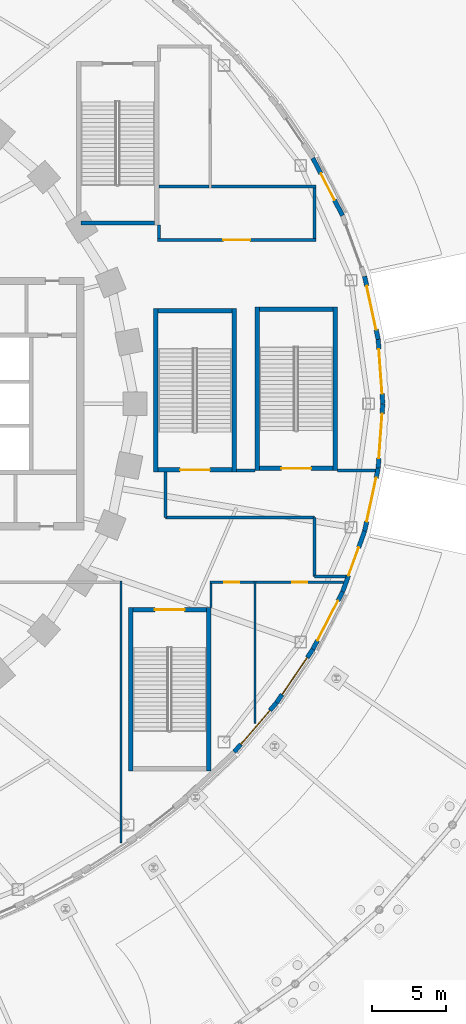
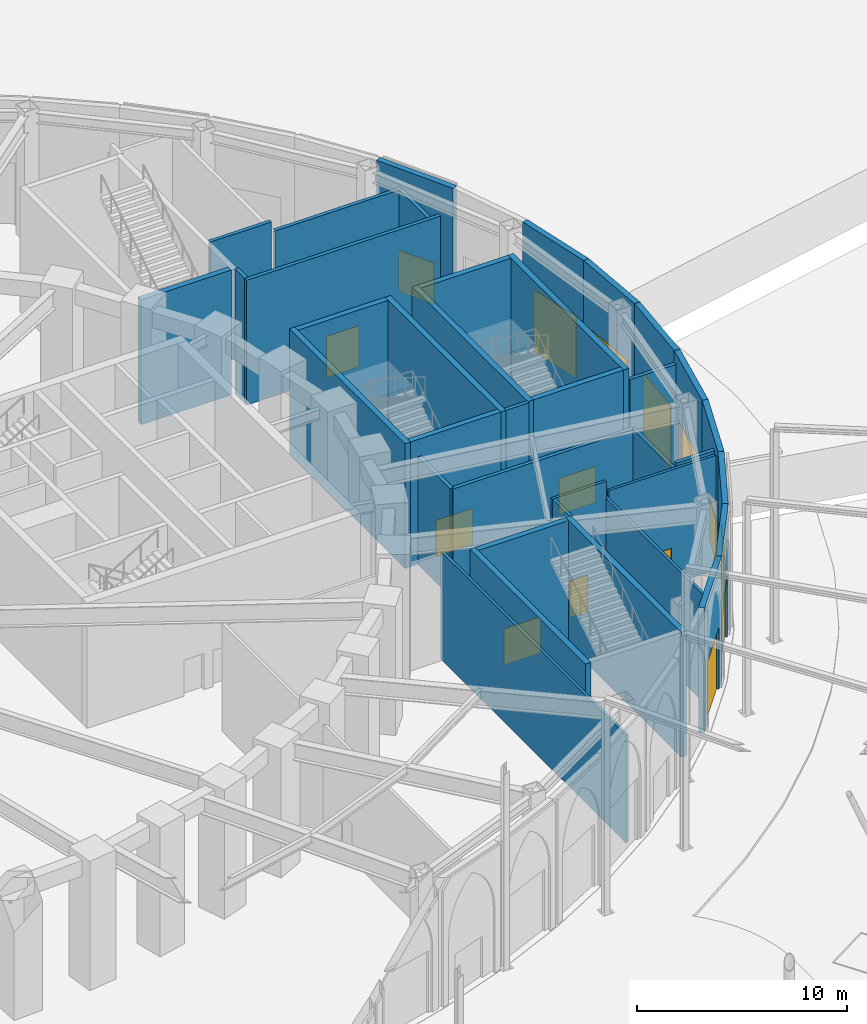
# One storey, part 48 of 79: 37 walls, 8 doors, 7 windows, 15 openings.
"""IFC4 building model written with IfcOpenShell, lengths in metres."""

from ifc_helpers import new_model, si_unit, direction, frame, frame_2d, origin, place, context, subcontext, project, spatial, rectangle, extrude, material, layer, layer_set, type_object, element, fill, save


model = new_model("IFC4")

# Units and contexts
model_context = context("Model", 3, precision=1e-05, world=origin(), true_north=direction((0.0, 1.0)))
body_context = subcontext(model_context, "Body", "Model", "MODEL_VIEW")
ifc_project = project(units=[si_unit("LENGTHUNIT", "METRE"), si_unit("AREAUNIT", "SQUARE_METRE"), si_unit("VOLUMEUNIT", "CUBIC_METRE"), si_unit("PLANEANGLEUNIT", "RADIAN"), si_unit("MASSUNIT", "GRAM", prefix="KILO")], contexts=[model_context])

# Site, building, storey
site_placement = place(None, origin())
site = spatial("IfcSite", under=ifc_project, at=site_placement, CompositionType="ELEMENT")
building_placement = place(site_placement, origin())
building = spatial("IfcBuilding", under=site, at=building_placement, Name="Noorbagh Ring Tower", CompositionType="ELEMENT")
storey_placement = place(building_placement, origin())
storey = spatial("IfcBuildingStorey", under=building, at=storey_placement, Name="L00", CompositionType="ELEMENT", Elevation=0.0)

# Wall, opening, window
ifc_material_1 = material(Name="Blockwork faced with red sandstone", Category="masonry")
ifc_layer_1 = layer(ifc_material_1, 0.300048828125)
ifc_layer_set_1 = layer_set([ifc_layer_1], Name="Blockwork faced with red sandstone")
wall_type_1 = type_object("IfcWallType", Name="GND-ENV-WALL", PredefinedType="SOLIDWALL", material=ifc_layer_set_1)
wall_1_placement = place(storey_placement, frame((51.59912109375, 0.0, 0.0), z_axis=(0.0, 0.0, 1.0), x_axis=(-0.071315050824, 0.997453840298, 0.0)))
wall_1 = element("IfcWall", 1, at=wall_1_placement, inside=storey, type_object=wall_type_1, Name="Podium wall", PredefinedType="SOLIDWALL", context=body_context, shape_type="SweptSolid", body=[
    extrude(rectangle(XDim=4.33740234375, YDim=0.300048828125, at=frame_2d((2.168701171875, 0.0))), origin(), (0.0, 0.0, 1.0), 7.25),
])
opening_1_placement = place(wall_1_placement, frame((0.668701171875, 0.0, 0.0)))
opening_1 = element("IfcOpeningElement", 2, at=opening_1_placement, cuts=wall_1, Name="Opening GWN2", PredefinedType="OPENING", context=body_context, shape_type="SweptSolid", body=[
    extrude(rectangle(XDim=3.0, YDim=3.60009765625, at=frame_2d((1.5, 1.800048828125))), frame((0.0, 0.16015625, 0.0), z_axis=(0.0, -1.0, 0.0), x_axis=(1.0, 0.0, 0.0)), (0.0, 0.0, 1.0), 0.320068359375),
])
ifc_material_2 = material(Name="Aluminium and glass", Category="aluminium")
window_type = type_object("IfcWindowType", Name="GND-ENV-SHOPFRONT", PartitioningType="SINGLE_PANEL", PredefinedType="WINDOW", material=ifc_material_2)
window_1_placement = place(opening_1_placement, origin())
window_1 = element("IfcWindow", 3, at=window_1_placement, inside=storey, type_object=window_type, Name="L00 podium window", OverallHeight=3.60009765625, OverallWidth=3.0, PartitioningType="SINGLE_PANEL", PredefinedType="WINDOW", context=body_context, shape_type="SweptSolid", body=[
    extrude(rectangle(XDim=3.0, YDim=3.60009765625, at=frame_2d((1.5, 1.800048828125))), frame((0.0, 0.030029296875, 0.0), z_axis=(0.0, -1.0, 0.0), x_axis=(1.0, 0.0, 0.0)), (0.0, 0.0, 1.0), 0.06005859375),
])
fill(opening_1, window_1)

wall_2_placement = place(storey_placement, frame((51.289794921875, 4.326416015625, 0.0), z_axis=(0.0, 0.0, 1.0), x_axis=(-0.210616468766, 0.977568771537, 0.0)))
wall_2 = element("IfcWall", 4, at=wall_2_placement, inside=storey, type_object=wall_type_1, Name="Podium wall", PredefinedType="SOLIDWALL", context=body_context, shape_type="SweptSolid", body=[
    extrude(rectangle(XDim=4.3388671875, YDim=0.300048828125, at=frame_2d((2.16943359375, 0.0))), origin(), (0.0, 0.0, 1.0), 7.25),
])
opening_2_placement = place(wall_2_placement, frame((0.66943359375, 0.0, 0.0)))
opening_2 = element("IfcOpeningElement", 5, at=opening_2_placement, cuts=wall_2, Name="Opening GWN2", PredefinedType="OPENING", context=body_context, shape_type="SweptSolid", body=[
    extrude(rectangle(XDim=3.0, YDim=3.60009765625, at=frame_2d((1.5, 1.800048828125))), frame((0.0, 0.16015625, 0.0), z_axis=(0.0, -1.0, 0.0), x_axis=(1.0, 0.0, 0.0)), (0.0, 0.0, 1.0), 0.320068359375),
])
window_2_placement = place(opening_2_placement, origin())
window_2 = element("IfcWindow", 6, at=window_2_placement, inside=storey, type_object=window_type, Name="L00 podium window", OverallHeight=3.60009765625, OverallWidth=3.0, PartitioningType="SINGLE_PANEL", PredefinedType="WINDOW", context=body_context, shape_type="SweptSolid", body=[
    extrude(rectangle(XDim=3.0, YDim=3.60009765625, at=frame_2d((1.5, 1.800048828125))), frame((0.0, 0.030029296875, 0.0), z_axis=(0.0, -1.0, 0.0), x_axis=(1.0, 0.0, 0.0)), (0.0, 0.0, 1.0), 0.06005859375),
])
fill(opening_2, window_2)

# Wall, opening, door
wall_3_placement = place(storey_placement, frame((48.894287109375, 12.648681640625, 0.0), z_axis=(0.0, 0.0, 1.0), x_axis=(-0.459242531468, 0.888310923771, 0.0)))
wall_3 = element("IfcWall", 7, at=wall_3_placement, inside=storey, type_object=wall_type_1, Name="Podium wall", PredefinedType="SOLIDWALL", context=body_context, shape_type="SweptSolid", body=[
    extrude(rectangle(XDim=4.344970703125, YDim=0.300048828125, at=frame_2d((2.17236328125, 0.0))), origin(), (0.0, 0.0, 1.0), 7.25),
])
opening_3_placement = place(wall_3_placement, frame((1.172607421875, 0.0, 0.0)))
opening_3 = element("IfcOpeningElement", 8, at=opening_3_placement, cuts=wall_3, Name="Opening GD13", PredefinedType="OPENING", context=body_context, shape_type="SweptSolid", body=[
    extrude(rectangle(XDim=2.0, YDim=2.39990234375, at=frame_2d((1.0, 1.199951171875))), frame((0.0, 0.16015625, 0.0), z_axis=(0.0, -1.0, 0.0), x_axis=(1.0, 0.0, 0.0)), (0.0, 0.0, 1.0), 0.320068359375),
])
ifc_material_3 = material(Name="Aluminium and glass", Category="aluminium")
door_type_1 = type_object("IfcDoorType", Name="GND-DOOR-EXIT", OperationType="DOUBLE_DOOR_SINGLE_SWING", PredefinedType="DOOR", material=ifc_material_3)
door_1_placement = place(opening_3_placement, frame((2.0, 0.0, 0.0), z_axis=(0.0, 0.0, 1.0), x_axis=(-1.0, 0.0, 0.0)))
door_1 = element("IfcDoor", 9, at=door_1_placement, inside=storey, type_object=door_type_1, Name="Exit door FX01", OperationType="DOUBLE_DOOR_SINGLE_SWING", OverallHeight=2.39990234375, OverallWidth=2.0, PredefinedType="DOOR", context=body_context, shape_type="SweptSolid", body=[
    extrude(rectangle(XDim=2.0, YDim=2.39990234375, at=frame_2d((1.0, 1.199951171875))), frame((0.0, 0.025146484375, 0.0), z_axis=(0.0, -1.0, 0.0), x_axis=(1.0, 0.0, 0.0)), (0.0, 0.0, 1.0), 0.050048828125),
])
fill(opening_3, door_1)

# Wall, opening, window
wall_4_placement = place(storey_placement, frame((41.61669921875, -23.406005859375, 0.0), z_axis=(0.0, 0.0, 1.0), x_axis=(0.651387059497, 0.758745608699, 0.0)))
wall_4 = element("IfcWall", 10, at=wall_4_placement, inside=storey, type_object=wall_type_1, Name="Podium wall", PredefinedType="SOLIDWALL", context=body_context, shape_type="SweptSolid", body=[
    extrude(rectangle(XDim=4.3525390625, YDim=0.300048828125, at=frame_2d((2.17626953125, 0.0))), origin(), (0.0, 0.0, 1.0), 7.25),
])
opening_4_placement = place(wall_4_placement, frame((0.67626953125, 0.0, 0.0)))
opening_4 = element("IfcOpeningElement", 11, at=opening_4_placement, cuts=wall_4, Name="Opening GWN2", PredefinedType="OPENING", context=body_context, shape_type="SweptSolid", body=[
    extrude(rectangle(XDim=3.0, YDim=3.60009765625, at=frame_2d((1.5, 1.800048828125))), frame((0.0, 0.16015625, 0.0), z_axis=(0.0, -1.0, 0.0), x_axis=(1.0, 0.0, 0.0)), (0.0, 0.0, 1.0), 0.320068359375),
])
window_3_placement = place(opening_4_placement, origin())
window_3 = element("IfcWindow", 12, at=window_3_placement, inside=storey, type_object=window_type, Name="L00 podium window", OverallHeight=3.60009765625, OverallWidth=3.0, PartitioningType="SINGLE_PANEL", PredefinedType="WINDOW", context=body_context, shape_type="SweptSolid", body=[
    extrude(rectangle(XDim=3.0, YDim=3.60009765625, at=frame_2d((1.5, 1.800048828125))), frame((0.0, 0.030029296875, 0.0), z_axis=(0.0, -1.0, 0.0), x_axis=(1.0, 0.0, 0.0)), (0.0, 0.0, 1.0), 0.06005859375),
])
fill(opening_4, window_3)

wall_5_placement = place(storey_placement, frame((44.451904296875, -20.103515625, 0.0), z_axis=(0.0, 0.0, 1.0), x_axis=(0.562667738859, 0.82668314102, 0.0)))
wall_5 = element("IfcWall", 13, at=wall_5_placement, inside=storey, type_object=wall_type_1, Name="Podium wall", PredefinedType="SOLIDWALL", context=body_context, shape_type="SweptSolid", body=[
    extrude(rectangle(XDim=4.348876953125, YDim=0.300048828125, at=frame_2d((2.17431640625, 0.0))), origin(), (0.0, 0.0, 1.0), 7.25),
])
opening_5_placement = place(wall_5_placement, frame((0.67431640625, 0.0, 0.0)))
opening_5 = element("IfcOpeningElement", 14, at=opening_5_placement, cuts=wall_5, Name="Opening GWN2", PredefinedType="OPENING", context=body_context, shape_type="SweptSolid", body=[
    extrude(rectangle(XDim=3.0, YDim=3.60009765625, at=frame_2d((1.5, 1.800048828125))), frame((0.0, 0.16015625, 0.0), z_axis=(0.0, -1.0, 0.0), x_axis=(1.0, 0.0, 0.0)), (0.0, 0.0, 1.0), 0.320068359375),
])
window_4_placement = place(opening_5_placement, origin())
window_4 = element("IfcWindow", 15, at=window_4_placement, inside=storey, type_object=window_type, Name="L00 podium window", OverallHeight=3.60009765625, OverallWidth=3.0, PartitioningType="SINGLE_PANEL", PredefinedType="WINDOW", context=body_context, shape_type="SweptSolid", body=[
    extrude(rectangle(XDim=3.0, YDim=3.60009765625, at=frame_2d((1.5, 1.800048828125))), frame((0.0, 0.030029296875, 0.0), z_axis=(0.0, -1.0, 0.0), x_axis=(1.0, 0.0, 0.0)), (0.0, 0.0, 1.0), 0.06005859375),
])
fill(opening_5, window_4)

wall_6_placement = place(storey_placement, frame((46.89892578125, -16.50830078125, 0.0), z_axis=(0.0, 0.0, 1.0), x_axis=(0.459242531468, 0.888310923771, 0.0)))
wall_6 = element("IfcWall", 16, at=wall_6_placement, inside=storey, type_object=wall_type_1, Name="Podium wall", PredefinedType="SOLIDWALL", context=body_context, shape_type="SweptSolid", body=[
    extrude(rectangle(XDim=4.344970703125, YDim=0.300048828125, at=frame_2d((2.17236328125, 0.0))), origin(), (0.0, 0.0, 1.0), 7.25),
])
opening_6_placement = place(wall_6_placement, frame((0.672607421875, 0.0, 0.0)))
opening_6 = element("IfcOpeningElement", 17, at=opening_6_placement, cuts=wall_6, Name="Opening GWN2", PredefinedType="OPENING", context=body_context, shape_type="SweptSolid", body=[
    extrude(rectangle(XDim=3.0, YDim=3.60009765625, at=frame_2d((1.5, 1.800048828125))), frame((0.0, 0.16015625, 0.0), z_axis=(0.0, -1.0, 0.0), x_axis=(1.0, 0.0, 0.0)), (0.0, 0.0, 1.0), 0.320068359375),
])
window_5_placement = place(opening_6_placement, origin())
window_5 = element("IfcWindow", 18, at=window_5_placement, inside=storey, type_object=window_type, Name="L00 podium window", OverallHeight=3.60009765625, OverallWidth=3.0, PartitioningType="SINGLE_PANEL", PredefinedType="WINDOW", context=body_context, shape_type="SweptSolid", body=[
    extrude(rectangle(XDim=3.0, YDim=3.60009765625, at=frame_2d((1.5, 1.800048828125))), frame((0.0, 0.030029296875, 0.0), z_axis=(0.0, -1.0, 0.0), x_axis=(1.0, 0.0, 0.0)), (0.0, 0.0, 1.0), 0.06005859375),
])
fill(opening_6, window_5)

# Wall, opening, door
wall_7_placement = place(storey_placement, frame((48.894287109375, -12.648681640625, 0.0), z_axis=(0.0, 0.0, 1.0), x_axis=(0.341286990045, 0.939959142956, 0.0)))
wall_7 = element("IfcWall", 19, at=wall_7_placement, inside=storey, type_object=wall_type_1, Name="Podium wall", PredefinedType="SOLIDWALL", context=body_context, shape_type="SweptSolid", body=[
    extrude(rectangle(XDim=4.341552734375, YDim=0.300048828125, at=frame_2d((2.1708984375, 0.0))), origin(), (0.0, 0.0, 1.0), 7.25),
])
opening_7_placement = place(wall_7_placement, frame((1.1708984375, 0.0, 0.0)))
opening_7 = element("IfcOpeningElement", 20, at=opening_7_placement, cuts=wall_7, Name="Opening GD13", PredefinedType="OPENING", context=body_context, shape_type="SweptSolid", body=[
    extrude(rectangle(XDim=2.0, YDim=2.39990234375, at=frame_2d((1.0, 1.199951171875))), frame((0.0, 0.16015625, 0.0), z_axis=(0.0, -1.0, 0.0), x_axis=(1.0, 0.0, 0.0)), (0.0, 0.0, 1.0), 0.320068359375),
])
door_2_placement = place(opening_7_placement, frame((2.0, 0.0, 0.0), z_axis=(0.0, 0.0, 1.0), x_axis=(-1.0, 0.0, 0.0)))
door_2 = element("IfcDoor", 21, at=door_2_placement, inside=storey, type_object=door_type_1, Name="Exit door FX23", OperationType="DOUBLE_DOOR_SINGLE_SWING", OverallHeight=2.39990234375, OverallWidth=2.0, PredefinedType="DOOR", context=body_context, shape_type="SweptSolid", body=[
    extrude(rectangle(XDim=2.0, YDim=2.39990234375, at=frame_2d((1.0, 1.199951171875))), frame((0.0, 0.025146484375, 0.0), z_axis=(0.0, -1.0, 0.0), x_axis=(1.0, 0.0, 0.0)), (0.0, 0.0, 1.0), 0.050048828125),
])
fill(opening_7, door_2)

# Wall, opening, window
wall_8_placement = place(storey_placement, frame((50.3759765625, -8.56787109375, 0.0), z_axis=(0.0, 0.0, 1.0), x_axis=(0.210616468766, 0.977568771537, 0.0)))
wall_8 = element("IfcWall", 22, at=wall_8_placement, inside=storey, type_object=wall_type_1, Name="Podium wall", PredefinedType="SOLIDWALL", context=body_context, shape_type="SweptSolid", body=[
    extrude(rectangle(XDim=4.3388671875, YDim=0.300048828125, at=frame_2d((2.16943359375, 0.0))), origin(), (0.0, 0.0, 1.0), 7.25),
])
opening_8_placement = place(wall_8_placement, frame((0.66943359375, 0.0, 0.0)))
opening_8 = element("IfcOpeningElement", 23, at=opening_8_placement, cuts=wall_8, Name="Opening GWN2", PredefinedType="OPENING", context=body_context, shape_type="SweptSolid", body=[
    extrude(rectangle(XDim=3.0, YDim=3.60009765625, at=frame_2d((1.5, 1.800048828125))), frame((0.0, 0.16015625, 0.0), z_axis=(0.0, -1.0, 0.0), x_axis=(1.0, 0.0, 0.0)), (0.0, 0.0, 1.0), 0.320068359375),
])
window_6_placement = place(opening_8_placement, origin())
window_6 = element("IfcWindow", 24, at=window_6_placement, inside=storey, type_object=window_type, Name="L00 podium window", OverallHeight=3.60009765625, OverallWidth=3.0, PartitioningType="SINGLE_PANEL", PredefinedType="WINDOW", context=body_context, shape_type="SweptSolid", body=[
    extrude(rectangle(XDim=3.0, YDim=3.60009765625, at=frame_2d((1.5, 1.800048828125))), frame((0.0, 0.030029296875, 0.0), z_axis=(0.0, -1.0, 0.0), x_axis=(1.0, 0.0, 0.0)), (0.0, 0.0, 1.0), 0.06005859375),
])
fill(opening_8, window_6)

wall_9_placement = place(storey_placement, frame((51.289794921875, -4.326416015625, 0.0), z_axis=(0.0, 0.0, 1.0), x_axis=(0.071315050824, 0.997453840298, 0.0)))
wall_9 = element("IfcWall", 25, at=wall_9_placement, inside=storey, type_object=wall_type_1, Name="Podium wall", PredefinedType="SOLIDWALL", context=body_context, shape_type="SweptSolid", body=[
    extrude(rectangle(XDim=4.33740234375, YDim=0.300048828125, at=frame_2d((2.168701171875, 0.0))), origin(), (0.0, 0.0, 1.0), 7.25),
])
opening_9_placement = place(wall_9_placement, frame((0.668701171875, 0.0, 0.0)))
opening_9 = element("IfcOpeningElement", 26, at=opening_9_placement, cuts=wall_9, Name="Opening GWN2", PredefinedType="OPENING", context=body_context, shape_type="SweptSolid", body=[
    extrude(rectangle(XDim=3.0, YDim=3.60009765625, at=frame_2d((1.5, 1.800048828125))), frame((0.0, 0.16015625, 0.0), z_axis=(0.0, -1.0, 0.0), x_axis=(1.0, 0.0, 0.0)), (0.0, 0.0, 1.0), 0.320068359375),
])
window_7_placement = place(opening_9_placement, origin())
window_7 = element("IfcWindow", 27, at=window_7_placement, inside=storey, type_object=window_type, Name="L00 podium window", OverallHeight=3.60009765625, OverallWidth=3.0, PartitioningType="SINGLE_PANEL", PredefinedType="WINDOW", context=body_context, shape_type="SweptSolid", body=[
    extrude(rectangle(XDim=3.0, YDim=3.60009765625, at=frame_2d((1.5, 1.800048828125))), frame((0.0, 0.030029296875, 0.0), z_axis=(0.0, -1.0, 0.0), x_axis=(1.0, 0.0, 0.0)), (0.0, 0.0, 1.0), 0.06005859375),
])
fill(opening_9, window_7)

# Walls
ifc_material_4 = material(Name="Reinforced blockwork", Category="masonry")
ifc_layer_2 = layer(ifc_material_4, 0.199951171875)
ifc_layer_set_2 = layer_set([ifc_layer_2], Name="Reinforced blockwork")
wall_type_2 = type_object("IfcWallType", Name="GND-EXIT-PASSAGE-WALL", PredefinedType="PARTITIONING", material=ifc_layer_set_2)
wall_10_placement = place(storey_placement, frame((47.0, -7.64990234375, 0.0), z_axis=(0.0, 0.0, 1.0), x_axis=(-1.0, 0.0, 0.0)))
element("IfcWall", 28, at=wall_10_placement, inside=storey, type_object=wall_type_2, Name="Exit passage wall", PredefinedType="PARTITIONING", context=body_context, shape_type="SweptSolid", body=[
    extrude(rectangle(XDim=10.0, YDim=0.199951171875, at=frame_2d((5.0, 0.0))), origin(), (0.0, 0.0, 1.0), 6.25),
])
wall_11_placement = place(storey_placement, frame((37.0, -7.64990234375, 0.0), z_axis=(0.0, 0.0, 1.0), x_axis=(0.0, 1.0, 0.0)))
element("IfcWall", 29, at=wall_11_placement, inside=storey, type_object=wall_type_2, Name="Exit passage wall", PredefinedType="PARTITIONING", context=body_context, shape_type="SweptSolid", body=[
    extrude(rectangle(XDim=3.0498046875, YDim=0.199951171875, at=frame_2d((1.52490234375, 0.0))), origin(), (0.0, 0.0, 1.0), 6.25),
])
wall_12_placement = place(storey_placement, frame((41.75, -4.5, 0.0), z_axis=(0.0, 0.0, 1.0), x_axis=(1.0, 0.0, 0.0)))
element("IfcWall", 30, at=wall_12_placement, inside=storey, type_object=wall_type_2, Name="Exit passage wall", PredefinedType="PARTITIONING", context=body_context, shape_type="SweptSolid", body=[
    extrude(rectangle(XDim=1.25, YDim=0.199951171875, at=frame_2d((0.625, 0.0))), origin(), (0.0, 0.0, 1.0), 7.25),
])
wall_13_placement = place(storey_placement, frame((48.550048828125, -4.5, 0.0), z_axis=(0.0, 0.0, 1.0), x_axis=(1.0, 0.0, 0.0)))
element("IfcWall", 31, at=wall_13_placement, inside=storey, type_object=wall_type_2, Name="Exit passage wall", PredefinedType="PARTITIONING", context=body_context, shape_type="SweptSolid", body=[
    extrude(rectangle(XDim=2.549072265625, YDim=0.199951171875, at=frame_2d((1.2744140625, 0.0))), origin(), (0.0, 0.0, 1.0), 6.64990234375),
])
wall_14_placement = place(storey_placement, frame((49.115478515625, -11.60009765625, 0.0), z_axis=(0.0, 0.0, 1.0), x_axis=(-1.0, 0.0, 0.0)))
element("IfcWall", 32, at=wall_14_placement, inside=storey, type_object=wall_type_2, Name="Exit passage wall", PredefinedType="PARTITIONING", context=body_context, shape_type="SweptSolid", body=[
    extrude(rectangle(XDim=2.115478515625, YDim=0.199951171875, at=frame_2d((1.0576171875, 0.0))), origin(), (0.0, 0.0, 1.0), 6.64990234375),
])
wall_15_placement = place(storey_placement, frame((47.0, -11.60009765625, 0.0), z_axis=(0.0, 0.0, 1.0), x_axis=(0.0, 1.0, 0.0)))
element("IfcWall", 33, at=wall_15_placement, inside=storey, type_object=wall_type_2, Name="Exit passage wall", PredefinedType="PARTITIONING", context=body_context, shape_type="SweptSolid", body=[
    extrude(rectangle(XDim=3.9501953125, YDim=0.199951171875, at=frame_2d((1.97509765625, 0.0))), origin(), (0.0, 0.0, 1.0), 6.25),
])
ifc_material_5 = material(Name="Gypsum board on steel studs", Category="steel")
ifc_layer_3 = layer(ifc_material_5, 0.14990234375)
ifc_layer_set_3 = layer_set([ifc_layer_3], Name="Gypsum board on steel studs")
wall_type_3 = type_object("IfcWallType", Name="GND-PART-150", PredefinedType="PARTITIONING", material=ifc_layer_set_3)
wall_16_placement = place(storey_placement, frame((34.0, -11.925048828125, 0.0), z_axis=(0.0, 0.0, 1.0), x_axis=(0.0, -1.0, 0.0)))
element("IfcWall", 34, at=wall_16_placement, inside=storey, type_object=wall_type_3, Name="L00/wall/P001", PredefinedType="PARTITIONING", context=body_context, shape_type="SweptSolid", body=[
    extrude(rectangle(XDim=17.594482421875, YDim=0.14990234375, at=frame_2d((8.79736328125, 0.0))), origin(), (0.0, 0.0, 1.0), 6.25),
])
wall_17_placement = place(storey_placement, frame((43.0, -11.925048828125, 0.0), z_axis=(0.0, 0.0, 1.0), x_axis=(0.0, -1.0, 0.0)))
element("IfcWall", 35, at=wall_17_placement, inside=storey, type_object=wall_type_3, Name="L00/wall/P006", PredefinedType="PARTITIONING", context=body_context, shape_type="SweptSolid", body=[
    extrude(rectangle(XDim=9.5693359375, YDim=0.14990234375, at=frame_2d((4.78466796875, 0.0))), origin(), (0.0, 0.0, 1.0), 6.25),
])
wall_18_placement = place(storey_placement, frame((40.050048828125, -13.7099609375, 0.0), z_axis=(0.0, 0.0, 1.0), x_axis=(0.0, 1.0, 0.0)))
element("IfcWall", 36, at=wall_18_placement, inside=storey, type_object=wall_type_3, Name="L00/wall/P007", PredefinedType="PARTITIONING", context=body_context, shape_type="SweptSolid", body=[
    extrude(rectangle(XDim=1.635009765625, YDim=0.14990234375, at=frame_2d((0.8173828125, 0.0))), origin(), (0.0, 0.0, 1.0), 7.25),
])

# Wall, opening, door
wall_19_placement = place(storey_placement, frame((39.97509765625, -12.0, 0.0), z_axis=(0.0, 0.0, 1.0), x_axis=(1.0, 0.0, 0.0)))
wall_19 = element("IfcWall", 37, at=wall_19_placement, inside=storey, type_object=wall_type_3, Name="L00/wall/P008", PredefinedType="PARTITIONING", context=body_context, shape_type="SweptSolid", body=[
    extrude(rectangle(XDim=2.949951171875, YDim=0.14990234375, at=frame_2d((1.47509765625, 0.0))), origin(), (0.0, 0.0, 1.0), 7.25),
])
opening_10_placement = place(wall_19_placement, frame((0.97509765625, 0.0, 0.0)))
opening_10 = element("IfcOpeningElement", 38, at=opening_10_placement, cuts=wall_19, Name="Opening GD6", PredefinedType="OPENING", context=body_context, shape_type="SweptSolid", body=[
    extrude(rectangle(XDim=1.0, YDim=2.10009765625, at=frame_2d((0.5, 1.050048828125))), frame((0.0, 0.0849609375, 0.0), z_axis=(0.0, -1.0, 0.0), x_axis=(1.0, 0.0, 0.0)), (0.0, 0.0, 1.0), 0.169921875),
])
ifc_material_6 = material(Name="Timber", Category="wood")
door_type_2 = type_object("IfcDoorType", Name="GND-DOOR-HALL", OperationType="SINGLE_SWING_LEFT", PredefinedType="DOOR", material=ifc_material_6)
door_3_placement = place(opening_10_placement, origin())
door_3 = element("IfcDoor", 39, at=door_3_placement, inside=storey, type_object=door_type_2, Name="Retail unit 1 door", OperationType="SINGLE_SWING_RIGHT", OverallHeight=2.10009765625, OverallWidth=1.0, PredefinedType="DOOR", context=body_context, shape_type="SweptSolid", body=[
    extrude(rectangle(XDim=1.0, YDim=2.10009765625, at=frame_2d((0.5, 1.050048828125))), frame((0.0, 0.02490234375, 0.0), z_axis=(0.0, -1.0, 0.0), x_axis=(1.0, 0.0, 0.0)), (0.0, 0.0, 1.0), 0.050048828125),
])
fill(opening_10, door_3)

wall_20_placement = place(storey_placement, frame((43.074951171875, -12.0, 0.0), z_axis=(0.0, 0.0, 1.0), x_axis=(1.0, 0.0, 0.0)))
wall_20 = element("IfcWall", 40, at=wall_20_placement, inside=storey, type_object=wall_type_3, Name="L00/wall/P009", PredefinedType="PARTITIONING", context=body_context, shape_type="SweptSolid", body=[
    extrude(rectangle(XDim=5.880126953125, YDim=0.14990234375, at=frame_2d((2.93994140625, 0.0))), origin(), (0.0, 0.0, 1.0), 6.64990234375),
])
opening_11_placement = place(wall_20_placement, frame((2.43994140625, 0.0, 0.0)))
opening_11 = element("IfcOpeningElement", 41, at=opening_11_placement, cuts=wall_20, Name="Opening GD6", PredefinedType="OPENING", context=body_context, shape_type="SweptSolid", body=[
    extrude(rectangle(XDim=1.0, YDim=2.10009765625, at=frame_2d((0.5, 1.050048828125))), frame((0.0, 0.0849609375, 0.0), z_axis=(0.0, -1.0, 0.0), x_axis=(1.0, 0.0, 0.0)), (0.0, 0.0, 1.0), 0.169921875),
])
door_4_placement = place(opening_11_placement, origin())
door_4 = element("IfcDoor", 42, at=door_4_placement, inside=storey, type_object=door_type_2, Name="Retail unit 2 door", OperationType="SINGLE_SWING_RIGHT", OverallHeight=2.10009765625, OverallWidth=1.0, PredefinedType="DOOR", context=body_context, shape_type="SweptSolid", body=[
    extrude(rectangle(XDim=1.0, YDim=2.10009765625, at=frame_2d((0.5, 1.050048828125))), frame((0.0, 0.02490234375, 0.0), z_axis=(0.0, -1.0, 0.0), x_axis=(1.0, 0.0, 0.0)), (0.0, 0.0, 1.0), 0.050048828125),
])
fill(opening_11, door_4)

# Wall
ifc_material_7 = material(Name="Reinforced blockwork", Category="masonry")
ifc_layer_4 = layer(ifc_material_7, 0.199951171875)
ifc_layer_set_4 = layer_set([ifc_layer_4], Name="Reinforced blockwork")
wall_type_4 = type_object("IfcWallType", Name="GND-PART-200", PredefinedType="PARTITIONING", material=ifc_layer_set_4)
wall_21_placement = place(storey_placement, frame((36.550048828125, 14.60009765625, 0.0), z_axis=(0.0, 0.0, 1.0), x_axis=(1.0, 0.0, 0.0)))
element("IfcWall", 43, at=wall_21_placement, inside=storey, type_object=wall_type_4, Name="L00/wall/P016", PredefinedType="PARTITIONING", context=body_context, shape_type="SweptSolid", body=[
    extrude(rectangle(XDim=3.350830078125, YDim=0.199951171875, at=frame_2d((1.67529296875, 0.0))), origin(), (0.0, 0.0, 1.0), 7.25),
])

# Wall, opening, door
wall_22_placement = place(storey_placement, frame((47.10009765625, 11.0, 0.0), z_axis=(0.0, 0.0, 1.0), x_axis=(-1.0, 0.0, 0.0)))
wall_22 = element("IfcWall", 44, at=wall_22_placement, inside=storey, type_object=wall_type_4, Name="L00/wall/P017", PredefinedType="PARTITIONING", context=body_context, shape_type="SweptSolid", body=[
    extrude(rectangle(XDim=10.650146484375, YDim=0.199951171875, at=frame_2d((5.3251953125, 0.0))), origin(), (0.0, 0.0, 1.0), 7.25),
])
opening_12_placement = place(wall_22_placement, frame((4.425048828125, 0.0, 0.0)))
opening_12 = element("IfcOpeningElement", 45, at=opening_12_placement, cuts=wall_22, Name="Opening GD12", PredefinedType="OPENING", context=body_context, shape_type="SweptSolid", body=[
    extrude(rectangle(XDim=1.800048828125, YDim=2.39990234375, at=frame_2d((0.89990234375, 1.199951171875))), frame((0.0, 0.10986328125, 0.0), z_axis=(0.0, -1.0, 0.0), x_axis=(1.0, 0.0, 0.0)), (0.0, 0.0, 1.0), 0.219970703125),
])
ifc_material_8 = material(Name="Steel", Category="steel")
door_type_3 = type_object("IfcDoorType", Name="GND-DOOR-HALL-FD60-18", OperationType="DOUBLE_DOOR_SINGLE_SWING", PredefinedType="DOOR", material=ifc_material_8)
door_5_placement = place(opening_12_placement, origin())
door_5 = element("IfcDoor", 46, at=door_5_placement, inside=storey, type_object=door_type_3, Name="Loading bay door", OperationType="DOUBLE_DOOR_SINGLE_SWING", OverallHeight=2.39990234375, OverallWidth=1.800048828125, PredefinedType="DOOR", context=body_context, shape_type="SweptSolid", body=[
    extrude(rectangle(XDim=1.800048828125, YDim=2.39990234375, at=frame_2d((0.89990234375, 1.199951171875))), frame((0.0, 0.02490234375, 0.0), z_axis=(0.0, -1.0, 0.0), x_axis=(1.0, 0.0, 0.0)), (0.0, 0.0, 1.0), 0.050048828125),
])
fill(opening_12, door_5)

# Walls
wall_23_placement = place(storey_placement, frame((36.550048828125, 11.10009765625, 0.0), z_axis=(0.0, 0.0, 1.0), x_axis=(0.0, 1.0, 0.0)))
element("IfcWall", 47, at=wall_23_placement, inside=storey, type_object=wall_type_4, Name="L00/wall/P018", PredefinedType="PARTITIONING", context=body_context, shape_type="SweptSolid", body=[
    extrude(rectangle(XDim=0.909912109375, YDim=0.199951171875, at=frame_2d((0.455078125, 0.0))), origin(), (0.0, 0.0, 1.0), 7.25),
])
wall_24_placement = place(storey_placement, frame((40.09912109375, 14.60009765625, 0.0), z_axis=(0.0, 0.0, 1.0), x_axis=(1.0, 0.0, 0.0)))
element("IfcWall", 48, at=wall_24_placement, inside=storey, type_object=wall_type_4, Name="L00/wall/P019", PredefinedType="PARTITIONING", context=body_context, shape_type="SweptSolid", body=[
    extrude(rectangle(XDim=7.0009765625, YDim=0.199951171875, at=frame_2d((3.50048828125, 0.0))), origin(), (0.0, 0.0, 1.0), 6.64990234375),
])
wall_25_placement = place(storey_placement, frame((47.0, 14.5, 0.0), z_axis=(0.0, 0.0, 1.0), x_axis=(0.0, -1.0, 0.0)))
element("IfcWall", 49, at=wall_25_placement, inside=storey, type_object=wall_type_4, Name="L00/wall/P020", PredefinedType="PARTITIONING", context=body_context, shape_type="SweptSolid", body=[
    extrude(rectangle(XDim=3.39990234375, YDim=0.199951171875, at=frame_2d((1.699951171875, 0.0))), origin(), (0.0, 0.0, 1.0), 6.64990234375),
])
ifc_material_9 = material(Name="Concrete C60/75", Category="concrete")
ifc_layer_5 = layer(ifc_material_9, 0.300048828125)
ifc_layer_set_5 = layer_set([ifc_layer_5], Name="Concrete C60/75")
wall_type_5 = type_object("IfcWallType", Name="GND-STAIR-WALL", PredefinedType="SHEAR", material=ifc_layer_set_5)
for number, where, z_axis, x_axis, name in (
    (50, (36.35009765625, -4.60009765625, 0.0), (0.0, 0.0, 1.0), (0.0, 1.0, 0.0), "Exit stair ST-P2 wall"),
    (51, (41.60009765625, -4.60009765625, 0.0), (0.0, 0.0, 1.0), (0.0, 1.0, 0.0), "Exit stair ST-P2 wall"),
):
    element("IfcWall", number, at=place(storey_placement, frame(where, z_axis=z_axis, x_axis=x_axis)), inside=storey, type_object=wall_type_5, Name=name, PredefinedType="SHEAR", context=body_context, shape_type="SweptSolid", body=[
        extrude(rectangle(XDim=11.0, YDim=0.300048828125, at=frame_2d((5.5, 0.0))), origin(), (0.0, 0.0, 1.0), 7.25),
    ])

# Wall, opening, door
wall_26_placement = place(storey_placement, frame((36.5, -4.449951171875, 0.0), z_axis=(0.0, 0.0, 1.0), x_axis=(1.0, 0.0, 0.0)))
wall_26 = element("IfcWall", 52, at=wall_26_placement, inside=storey, type_object=wall_type_5, Name="Exit stair ST-P2 wall", PredefinedType="SHEAR", context=body_context, shape_type="SweptSolid", body=[
    extrude(rectangle(XDim=4.949951171875, YDim=0.300048828125, at=frame_2d((2.47509765625, 0.0))), origin(), (0.0, 0.0, 1.0), 7.25),
])
opening_13_placement = place(wall_26_placement, frame((1.47509765625, 0.0, 0.0)))
opening_13 = element("IfcOpeningElement", 53, at=opening_13_placement, cuts=wall_26, Name="Opening GD17", PredefinedType="OPENING", context=body_context, shape_type="SweptSolid", body=[
    extrude(rectangle(XDim=2.0, YDim=2.10009765625, at=frame_2d((1.0, 1.050048828125))), frame((0.0, 0.16015625, 0.0), z_axis=(0.0, -1.0, 0.0), x_axis=(1.0, 0.0, 0.0)), (0.0, 0.0, 1.0), 0.320068359375),
])
ifc_material_10 = material(Name="Steel", Category="steel")
door_type_4 = type_object("IfcDoorType", Name="GND-STAIR-DOOR", OperationType="DOUBLE_DOOR_SINGLE_SWING", PredefinedType="DOOR", material=ifc_material_10)
door_6_placement = place(opening_13_placement, origin())
door_6 = element("IfcDoor", 54, at=door_6_placement, inside=storey, type_object=door_type_4, Name="Exit stair ST-P2 door", OperationType="DOUBLE_DOOR_SINGLE_SWING", OverallHeight=2.10009765625, OverallWidth=2.0, PredefinedType="DOOR", context=body_context, shape_type="SweptSolid", body=[
    extrude(rectangle(XDim=2.0, YDim=2.10009765625, at=frame_2d((1.0, 1.050048828125))), frame((0.0, 0.02490234375, 0.0), z_axis=(0.0, -1.0, 0.0), x_axis=(1.0, 0.0, 0.0)), (0.0, 0.0, 1.0), 0.050048828125),
])
fill(opening_13, door_6)

# Walls
wall_27_placement = place(storey_placement, frame((36.5, 6.25, 0.0), z_axis=(0.0, 0.0, 1.0), x_axis=(1.0, 0.0, 0.0)))
element("IfcWall", 55, at=wall_27_placement, inside=storey, type_object=wall_type_5, Name="Exit stair ST-P2 wall", PredefinedType="SHEAR", context=body_context, shape_type="SweptSolid", body=[
    extrude(rectangle(XDim=4.949951171875, YDim=0.300048828125, at=frame_2d((2.47509765625, 0.0))), origin(), (0.0, 0.0, 1.0), 7.25),
])
for number, where, z_axis, x_axis, name in (
    (56, (43.14990234375, -4.5, 0.0), (0.0, 0.0, 1.0), (0.0, 1.0, 0.0), "Exit stair ST-P4 wall"),
    (57, (48.39990234375, -4.5, 0.0), (0.0, 0.0, 1.0), (0.0, 1.0, 0.0), "Exit stair ST-P4 wall"),
):
    element("IfcWall", number, at=place(storey_placement, frame(where, z_axis=z_axis, x_axis=x_axis)), inside=storey, type_object=wall_type_5, Name=name, PredefinedType="SHEAR", context=body_context, shape_type="SweptSolid", body=[
        extrude(rectangle(XDim=11.0, YDim=0.300048828125, at=frame_2d((5.5, 0.0))), origin(), (0.0, 0.0, 1.0), 7.25),
    ])

# Wall, opening, door
wall_28_placement = place(storey_placement, frame((43.300048828125, -4.35009765625, 0.0), z_axis=(0.0, 0.0, 1.0), x_axis=(1.0, 0.0, 0.0)))
wall_28 = element("IfcWall", 58, at=wall_28_placement, inside=storey, type_object=wall_type_5, Name="Exit stair ST-P4 wall", PredefinedType="SHEAR", context=body_context, shape_type="SweptSolid", body=[
    extrude(rectangle(XDim=4.949951171875, YDim=0.300048828125, at=frame_2d((2.47509765625, 0.0))), origin(), (0.0, 0.0, 1.0), 7.25),
])
opening_14_placement = place(wall_28_placement, frame((1.47509765625, 0.0, 0.0)))
opening_14 = element("IfcOpeningElement", 59, at=opening_14_placement, cuts=wall_28, Name="Opening GD17", PredefinedType="OPENING", context=body_context, shape_type="SweptSolid", body=[
    extrude(rectangle(XDim=2.0, YDim=2.10009765625, at=frame_2d((1.0, 1.050048828125))), frame((0.0, 0.16015625, 0.0), z_axis=(0.0, -1.0, 0.0), x_axis=(1.0, 0.0, 0.0)), (0.0, 0.0, 1.0), 0.320068359375),
])
door_7_placement = place(opening_14_placement, origin())
door_7 = element("IfcDoor", 60, at=door_7_placement, inside=storey, type_object=door_type_4, Name="Exit stair ST-P4 door", OperationType="DOUBLE_DOOR_SINGLE_SWING", OverallHeight=2.10009765625, OverallWidth=2.0, PredefinedType="DOOR", context=body_context, shape_type="SweptSolid", body=[
    extrude(rectangle(XDim=2.0, YDim=2.10009765625, at=frame_2d((1.0, 1.050048828125))), frame((0.0, 0.02490234375, 0.0), z_axis=(0.0, -1.0, 0.0), x_axis=(1.0, 0.0, 0.0)), (0.0, 0.0, 1.0), 0.050048828125),
])
fill(opening_14, door_7)

# Walls
for number, where, z_axis, x_axis, name in (
    (61, (43.300048828125, 6.35009765625, 0.0), (0.0, 0.0, 1.0), (1.0, 0.0, 0.0), "Exit stair ST-P4 wall"),
    (62, (31.300048828125, 12.14990234375, 0.0), (0.0, 0.0, 1.0), (1.0, 0.0, 0.0), "Exit stair ST-P5 wall"),
):
    element("IfcWall", number, at=place(storey_placement, frame(where, z_axis=z_axis, x_axis=x_axis)), inside=storey, type_object=wall_type_5, Name=name, PredefinedType="SHEAR", context=body_context, shape_type="SweptSolid", body=[
        extrude(rectangle(XDim=4.949951171875, YDim=0.300048828125, at=frame_2d((2.47509765625, 0.0))), origin(), (0.0, 0.0, 1.0), 7.25),
    ])
for number, where, z_axis, x_axis, name in (
    (63, (34.64990234375, -24.699951171875, 0.0), (0.0, 0.0, 1.0), (0.0, 1.0, 0.0), "Exit stair ST-P6 wall"),
    (64, (39.89990234375, -24.699951171875, 0.0), (0.0, 0.0, 1.0), (0.0, 1.0, 0.0), "Exit stair ST-P6 wall"),
):
    element("IfcWall", number, at=place(storey_placement, frame(where, z_axis=z_axis, x_axis=x_axis)), inside=storey, type_object=wall_type_5, Name=name, PredefinedType="SHEAR", context=body_context, shape_type="SweptSolid", body=[
        extrude(rectangle(XDim=11.0, YDim=0.300048828125, at=frame_2d((5.5, 0.0))), origin(), (0.0, 0.0, 1.0), 7.25),
    ])

# Wall, opening, door
wall_29_placement = place(storey_placement, frame((34.800048828125, -13.85009765625, 0.0), z_axis=(0.0, 0.0, 1.0), x_axis=(1.0, 0.0, 0.0)))
wall_29 = element("IfcWall", 65, at=wall_29_placement, inside=storey, type_object=wall_type_5, Name="Exit stair ST-P6 wall", PredefinedType="SHEAR", context=body_context, shape_type="SweptSolid", body=[
    extrude(rectangle(XDim=4.949951171875, YDim=0.300048828125, at=frame_2d((2.47509765625, 0.0))), origin(), (0.0, 0.0, 1.0), 7.25),
])
opening_15_placement = place(wall_29_placement, frame((1.47509765625, 0.0, 0.0)))
opening_15 = element("IfcOpeningElement", 66, at=opening_15_placement, cuts=wall_29, Name="Opening GD17", PredefinedType="OPENING", context=body_context, shape_type="SweptSolid", body=[
    extrude(rectangle(XDim=2.0, YDim=2.10009765625, at=frame_2d((1.0, 1.050048828125))), frame((0.0, 0.16015625, 0.0), z_axis=(0.0, -1.0, 0.0), x_axis=(1.0, 0.0, 0.0)), (0.0, 0.0, 1.0), 0.320068359375),
])
door_8_placement = place(opening_15_placement, origin())
door_8 = element("IfcDoor", 67, at=door_8_placement, inside=storey, type_object=door_type_4, Name="Exit stair ST-P6 door", OperationType="DOUBLE_DOOR_SINGLE_SWING", OverallHeight=2.10009765625, OverallWidth=2.0, PredefinedType="DOOR", context=body_context, shape_type="SweptSolid", body=[
    extrude(rectangle(XDim=2.0, YDim=2.10009765625, at=frame_2d((1.0, 1.050048828125))), frame((0.0, 0.02490234375, 0.0), z_axis=(0.0, -1.0, 0.0), x_axis=(1.0, 0.0, 0.0)), (0.0, 0.0, 1.0), 0.050048828125),
])
fill(opening_15, door_8)

save(model, "model.ifc")
